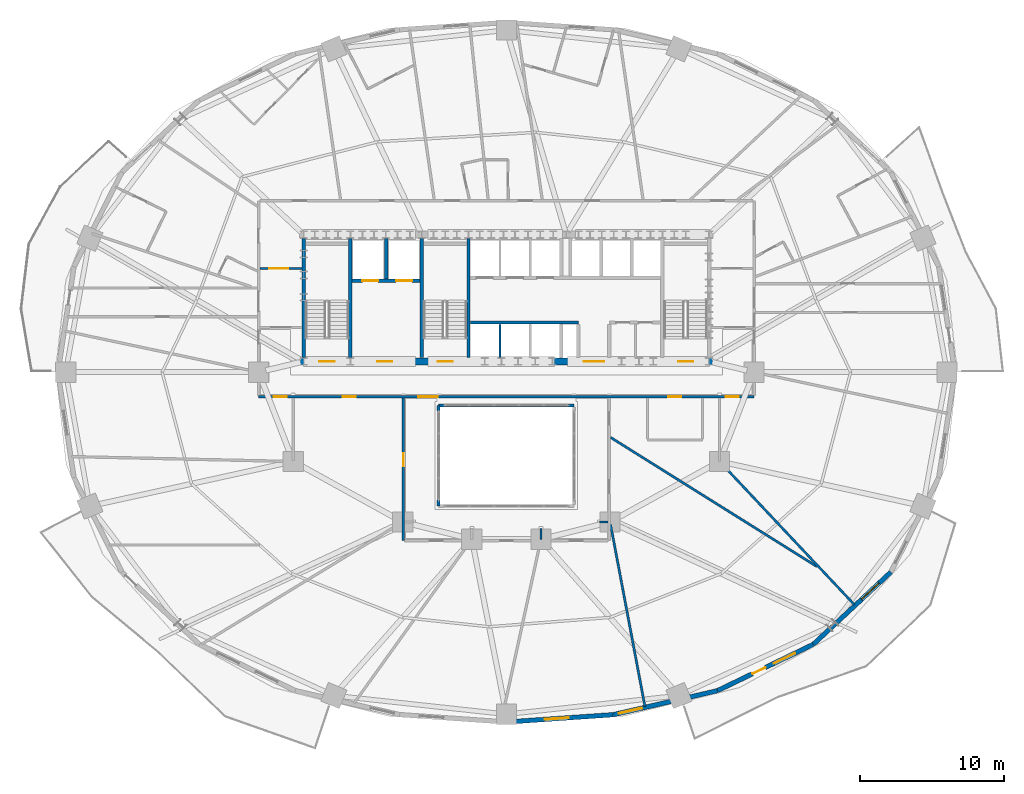
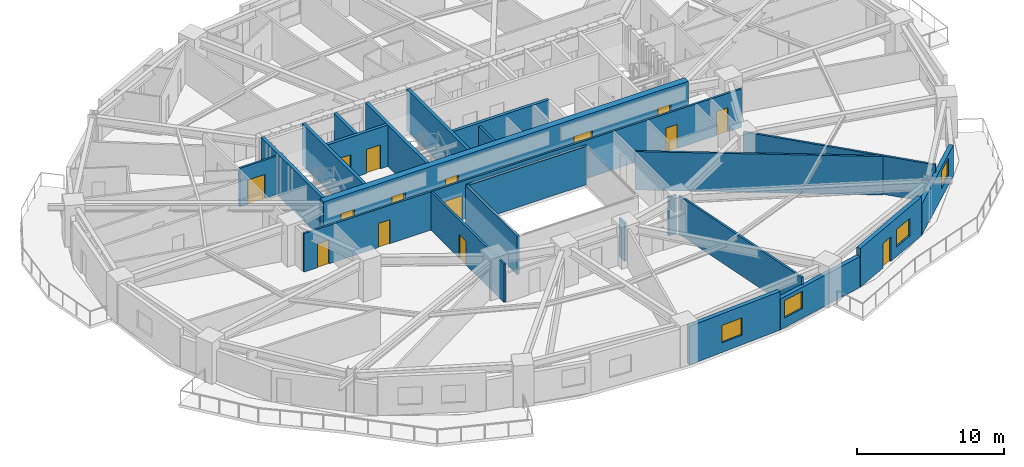
# One storey, part 10 of 17: 23 walls, 15 doors, 4 windows, 19 openings.
"""IFC4 building model written with IfcOpenShell, lengths in metres."""

from ifc_helpers import new_model, si_unit, direction, frame, frame_2d, origin, place, context, subcontext, project, spatial, rectangle, extrude, material, layer, layer_set, type_object, element, fill, save


model = new_model("IFC4")

# Units and contexts
model_context = context("Model", 3, precision=1e-05, world=origin(), true_north=direction((0.0, 1.0)))
body_context = subcontext(model_context, "Body", "Model", "MODEL_VIEW")
ifc_project = project(units=[si_unit("LENGTHUNIT", "METRE"), si_unit("AREAUNIT", "SQUARE_METRE"), si_unit("VOLUMEUNIT", "CUBIC_METRE"), si_unit("PLANEANGLEUNIT", "RADIAN"), si_unit("MASSUNIT", "GRAM", prefix="KILO")], contexts=[model_context])

# Site, building, storey
site_placement = place(None, origin())
site = spatial("IfcSite", under=ifc_project, at=site_placement, CompositionType="ELEMENT")
building_placement = place(site_placement, origin())
building = spatial("IfcBuilding", under=site, at=building_placement, Name="Haldorwick Loom Tower", CompositionType="ELEMENT")
storey_placement = place(building_placement, frame((0.0, 0.0, 27.449951171875)))
storey = spatial("IfcBuildingStorey", under=building, at=storey_placement, Name="L06", CompositionType="ELEMENT", Elevation=27.449951171875)

# Wall, opening, window
ifc_material_1 = material(Name="Pressed Clay Face Brick and Insulated Masonry Backup Assembly", Category="masonry")
ifc_layer_1 = layer(ifc_material_1, 0.320068359375, Name="Pressed Clay Face Brick and Insulated Masonry Backup Assembly", Category="masonry")
ifc_layer_set_1 = layer_set([ifc_layer_1], Name="Pressed Clay Face Brick and Insulated Masonry Backup Assembly")
wall_type_1 = type_object("IfcWallType", Name="ARC-WL-EXT320", PredefinedType="STANDARD", material=ifc_layer_set_1)
wall_1_placement = place(storey_placement, frame((36.0, 1.7099609375, 0.0), z_axis=(0.0, 0.0, 1.0), x_axis=(0.997645161917, 0.068586667092, 0.0)))
wall_1 = element("IfcWall", 1, at=wall_1_placement, inside=storey, type_object=wall_type_1, Name="L06 Brick Pier and Spandrel Wall 19", PredefinedType="STANDARD", context=body_context, shape_type="SweptSolid", body=[
    extrude(rectangle(XDim=7.428955078125, YDim=0.320068359375, at=frame_2d((3.71435546875, 0.0))), origin(), (0.0, 0.0, 1.0), 3.2099609375),
])
opening_1_placement = place(wall_1_placement, frame((2.679443359375, 0.0, 0.800048828125)))
opening_1 = element("IfcOpeningElement", 2, at=opening_1_placement, cuts=wall_1, Name="Opening W-01B", PredefinedType="OPENING", context=body_context, shape_type="SweptSolid", body=[
    extrude(rectangle(XDim=1.64990234375, YDim=1.449951171875, at=frame_2d((0.824951171875, 0.72509765625))), frame((0.0, 0.169921875, 0.0), z_axis=(0.0, -1.0, 0.0), x_axis=(1.0, 0.0, 0.0)), (0.0, 0.0, 1.0), 0.340087890625),
])
ifc_material_2 = material(Name="Triple-Glazed Low-E Argon Insulated Glazing Unit", Category="glass")
window_type = type_object("IfcWindowType", Name="ARC-WIN-W165", PartitioningType="SINGLE_PANEL", PredefinedType="WINDOW", material=ifc_material_2)
window_1_placement = place(opening_1_placement, origin())
window_1 = element("IfcWindow", 3, at=window_1_placement, inside=storey, type_object=window_type, Name="L06 Deep-Set Zone 7A Window 19", OverallHeight=1.449951171875, OverallWidth=1.64990234375, PartitioningType="SINGLE_PANEL", PredefinedType="WINDOW", context=body_context, shape_type="SweptSolid", body=[
    extrude(rectangle(XDim=1.64990234375, YDim=1.449951171875, at=frame_2d((0.824951171875, 0.72509765625))), frame((0.0, 0.030029296875, 0.0), z_axis=(0.0, -1.0, 0.0), x_axis=(1.0, 0.0, 0.0)), (0.0, 0.0, 1.0), 0.06005859375),
])
fill(opening_1, window_1)

wall_2_placement = place(storey_placement, frame((43.411376953125, 2.219482421875, 0.0), z_axis=(0.0, 0.0, 1.0), x_axis=(0.974522412345, 0.224290142088, 0.0)))
wall_2 = element("IfcWall", 4, at=wall_2_placement, inside=storey, type_object=wall_type_1, Name="L06 Brick Pier and Spandrel Wall 20", PredefinedType="STANDARD", context=body_context, shape_type="SweptSolid", body=[
    extrude(rectangle(XDim=7.422607421875, YDim=0.320068359375, at=frame_2d((3.71142578125, 0.0))), origin(), (0.0, 0.0, 1.0), 2.569091796875),
])
opening_2_placement = place(wall_2_placement, frame((0.39990234375, 0.0, 0.800048828125)))
opening_2 = element("IfcOpeningElement", 5, at=opening_2_placement, cuts=wall_2, Name="Opening W-01B", PredefinedType="OPENING", context=body_context, shape_type="SweptSolid", body=[
    extrude(rectangle(XDim=1.64990234375, YDim=1.449951171875, at=frame_2d((0.824951171875, 0.72509765625))), frame((0.0, 0.169921875, 0.0), z_axis=(0.0, -1.0, 0.0), x_axis=(1.0, 0.0, 0.0)), (0.0, 0.0, 1.0), 0.340087890625),
])
window_2_placement = place(opening_2_placement, origin())
window_2 = element("IfcWindow", 6, at=window_2_placement, inside=storey, type_object=window_type, Name="L06 Deep-Set Zone 7A Window 20", OverallHeight=1.449951171875, OverallWidth=1.64990234375, PartitioningType="SINGLE_PANEL", PredefinedType="WINDOW", context=body_context, shape_type="SweptSolid", body=[
    extrude(rectangle(XDim=1.64990234375, YDim=1.449951171875, at=frame_2d((0.824951171875, 0.72509765625))), frame((0.0, 0.030029296875, 0.0), z_axis=(0.0, -1.0, 0.0), x_axis=(1.0, 0.0, 0.0)), (0.0, 0.0, 1.0), 0.06005859375),
])
fill(opening_2, window_2)

# Wall, openings, door, window
wall_3_placement = place(storey_placement, frame((50.644775390625, 3.88427734375, 0.0), z_axis=(0.0, 0.0, 1.0), x_axis=(0.900295710431, 0.435278800057, 0.0)))
wall_3 = element("IfcWall", 7, at=wall_3_placement, inside=storey, type_object=wall_type_1, Name="L06 Brick Pier and Spandrel Wall 21", PredefinedType="STANDARD", context=body_context, shape_type="SweptSolid", body=[
    extrude(rectangle(XDim=7.39697265625, YDim=0.320068359375, at=frame_2d((3.698486328125, 0.0))), origin(), (0.0, 0.0, 1.0), 3.2099609375),
])
opening_3_placement = place(wall_3_placement, frame((2.705322265625, 0.0, 0.0)))
opening_3 = element("IfcOpeningElement", 8, at=opening_3_placement, cuts=wall_3, Name="Opening D-BL10", PredefinedType="OPENING", context=body_context, shape_type="SweptSolid", body=[
    extrude(rectangle(XDim=1.0, YDim=2.0400390625, at=frame_2d((0.5, 1.02001953125))), frame((0.0, 0.169921875, 0.0), z_axis=(0.0, -1.0, 0.0), x_axis=(1.0, 0.0, 0.0)), (0.0, 0.0, 1.0), 0.340087890625),
])
opening_4_placement = place(wall_3_placement, frame((4.352783203125, 0.0, 0.800048828125)))
opening_4 = element("IfcOpeningElement", 9, at=opening_4_placement, cuts=wall_3, Name="Opening W-01B", PredefinedType="OPENING", context=body_context, shape_type="SweptSolid", body=[
    extrude(rectangle(XDim=1.64990234375, YDim=1.449951171875, at=frame_2d((0.824951171875, 0.72509765625))), frame((0.0, 0.169921875, 0.0), z_axis=(0.0, -1.0, 0.0), x_axis=(1.0, 0.0, 0.0)), (0.0, 0.0, 1.0), 0.340087890625),
])
ifc_material_3 = material(Name="Thermally Broken Anodized Aluminium Curtain Wall Framing", Category="aluminium")
door_type_1 = type_object("IfcDoorType", Name="ARC-DR-BAL100", OperationType="NOTDEFINED", PredefinedType="DOOR", material=ifc_material_3)
door_1_placement = place(opening_3_placement, origin())
door_1 = element("IfcDoor", 10, at=door_1_placement, inside=storey, type_object=door_type_1, Name="L06 Outdoor Terrace Door SLB-L06-BAL_SE", OperationType="SINGLE_SWING_RIGHT", OverallHeight=2.0400390625, OverallWidth=1.0, PredefinedType="DOOR", context=body_context, shape_type="SweptSolid", body=[
    extrude(rectangle(XDim=1.0, YDim=2.0400390625, at=frame_2d((0.5, 1.02001953125))), frame((0.0, 0.02490234375, 0.0), z_axis=(0.0, -1.0, 0.0), x_axis=(1.0, 0.0, 0.0)), (0.0, 0.0, 1.0), 0.050048828125),
])
fill(opening_3, door_1)
window_3_placement = place(opening_4_placement, origin())
window_3 = element("IfcWindow", 11, at=window_3_placement, inside=storey, type_object=window_type, Name="L06 Deep-Set Zone 7A Window 21", OverallHeight=1.449951171875, OverallWidth=1.64990234375, PartitioningType="SINGLE_PANEL", PredefinedType="WINDOW", context=body_context, shape_type="SweptSolid", body=[
    extrude(rectangle(XDim=1.64990234375, YDim=1.449951171875, at=frame_2d((0.824951171875, 0.72509765625))), frame((0.0, 0.030029296875, 0.0), z_axis=(0.0, -1.0, 0.0), x_axis=(1.0, 0.0, 0.0)), (0.0, 0.0, 1.0), 0.06005859375),
])
fill(opening_4, window_3)

# Wall, opening, window
wall_4_placement = place(storey_placement, frame((57.30419921875, 7.10400390625, 0.0), z_axis=(0.0, 0.0, 1.0), x_axis=(0.73176101237, 0.681561311091, 0.0)))
wall_4 = element("IfcWall", 12, at=wall_4_placement, inside=storey, type_object=wall_type_1, Name="L06 Brick Pier and Spandrel Wall 22", PredefinedType="STANDARD", context=body_context, shape_type="SweptSolid", body=[
    extrude(rectangle(XDim=7.3583984375, YDim=0.320068359375, at=frame_2d((3.67919921875, 0.0))), origin(), (0.0, 0.0, 1.0), 2.569091796875),
])
opening_5_placement = place(wall_4_placement, frame((4.590087890625, 0.0, 0.800048828125)))
opening_5 = element("IfcOpeningElement", 13, at=opening_5_placement, cuts=wall_4, Name="Opening W-01B", PredefinedType="OPENING", context=body_context, shape_type="SweptSolid", body=[
    extrude(rectangle(XDim=1.64990234375, YDim=1.449951171875, at=frame_2d((0.824951171875, 0.72509765625))), frame((0.0, 0.169921875, 0.0), z_axis=(0.0, -1.0, 0.0), x_axis=(1.0, 0.0, 0.0)), (0.0, 0.0, 1.0), 0.340087890625),
])
window_4_placement = place(opening_5_placement, origin())
window_4 = element("IfcWindow", 14, at=window_4_placement, inside=storey, type_object=window_type, Name="L06 Deep-Set Zone 7A Window 22", OverallHeight=1.449951171875, OverallWidth=1.64990234375, PartitioningType="SINGLE_PANEL", PredefinedType="WINDOW", context=body_context, shape_type="SweptSolid", body=[
    extrude(rectangle(XDim=1.64990234375, YDim=1.449951171875, at=frame_2d((0.824951171875, 0.72509765625))), frame((0.0, 0.030029296875, 0.0), z_axis=(0.0, -1.0, 0.0), x_axis=(1.0, 0.0, 0.0)), (0.0, 0.0, 1.0), 0.06005859375),
])
fill(opening_5, window_4)

# Wall, openings, doors
ifc_material_4 = material(Name="Fire-Rated Type X Gypsum Stud Assembly EI 60")
ifc_layer_2 = layer(ifc_material_4, 0.159912109375, Name="Fire-Rated Type X Gypsum Stud Assembly EI 60")
ifc_layer_set_2 = layer_set([ifc_layer_2], Name="Fire-Rated Type X Gypsum Stud Assembly EI 60")
wall_type_2 = type_object("IfcWallType", Name="ARC-WL-FIRE160", PredefinedType="PARTITIONING", material=ifc_layer_set_2)
wall_5_placement = place(storey_placement, frame((18.800048828125, 24.300048828125, 0.0), z_axis=(0.0, 0.0, 1.0), x_axis=(1.0, 0.0, 0.0)))
wall_5 = element("IfcWall", 15, at=wall_5_placement, inside=storey, type_object=wall_type_2, Name="L06 Residential Fire Partition L06-CR-SP", PredefinedType="PARTITIONING", context=body_context, shape_type="SweptSolid", body=[
    extrude(rectangle(XDim=34.39990234375, YDim=0.159912109375, at=frame_2d((17.199951171875, 0.0))), origin(), (0.0, 0.0, 1.0), 3.195068359375),
])
opening_6_placement = place(wall_5_placement, frame((11.085693359375, 0.0, 0.0)))
opening_6 = element("IfcOpeningElement", 16, at=opening_6_placement, cuts=wall_5, Name="Opening D-CR15", PredefinedType="OPENING", context=body_context, shape_type="SweptSolid", body=[
    extrude(rectangle(XDim=1.35009765625, YDim=2.0, at=frame_2d((0.675048828125, 1.0))), frame((0.0, 0.08984375, 0.0), z_axis=(0.0, -1.0, 0.0), x_axis=(1.0, 0.0, 0.0)), (0.0, 0.0, 1.0), 0.179931640625),
])
opening_7_placement = place(wall_5_placement, frame((5.834716796875, 0.0, 0.0)))
opening_7 = element("IfcOpeningElement", 17, at=opening_7_placement, cuts=wall_5, Name="Opening D-FD60A", PredefinedType="OPENING", context=body_context, shape_type="SweptSolid", body=[
    extrude(rectangle(XDim=0.89990234375, YDim=2.0, at=frame_2d((0.449951171875, 1.0))), frame((0.0, 0.08984375, 0.0), z_axis=(0.0, -1.0, 0.0), x_axis=(1.0, 0.0, 0.0)), (0.0, 0.0, 1.0), 0.179931640625),
])
opening_8_placement = place(wall_5_placement, frame((28.437255859375, 0.0, 0.0)))
opening_8 = element("IfcOpeningElement", 18, at=opening_8_placement, cuts=wall_5, Name="Opening D-FD60A", PredefinedType="OPENING", context=body_context, shape_type="SweptSolid", body=[
    extrude(rectangle(XDim=0.89990234375, YDim=2.0, at=frame_2d((0.449951171875, 1.0))), frame((0.0, 0.08984375, 0.0), z_axis=(0.0, -1.0, 0.0), x_axis=(1.0, 0.0, 0.0)), (0.0, 0.0, 1.0), 0.179931640625),
])
opening_9_placement = place(wall_5_placement, frame((1.063232421875, 0.0, 0.0)))
opening_9 = element("IfcOpeningElement", 19, at=opening_9_placement, cuts=wall_5, Name="Opening D-FD60A", PredefinedType="OPENING", context=body_context, shape_type="SweptSolid", body=[
    extrude(rectangle(XDim=0.89990234375, YDim=2.0, at=frame_2d((0.449951171875, 1.0))), frame((0.0, 0.08984375, 0.0), z_axis=(0.0, -1.0, 0.0), x_axis=(1.0, 0.0, 0.0)), (0.0, 0.0, 1.0), 0.179931640625),
])
opening_10_placement = place(wall_5_placement, frame((32.436767578125, 0.0, 0.0)))
opening_10 = element("IfcOpeningElement", 20, at=opening_10_placement, cuts=wall_5, Name="Opening D-FD60A", PredefinedType="OPENING", context=body_context, shape_type="SweptSolid", body=[
    extrude(rectangle(XDim=0.89990234375, YDim=2.0, at=frame_2d((0.449951171875, 1.0))), frame((0.0, 0.08984375, 0.0), z_axis=(0.0, -1.0, 0.0), x_axis=(1.0, 0.0, 0.0)), (0.0, 0.0, 1.0), 0.179931640625),
])
ifc_material_5 = material(Name="Thermally Broken Anodized Aluminium and Tempered Glass", Category="aluminium")
door_type_2 = type_object("IfcDoorType", Name="ARC-DR-COR150", OperationType="NOTDEFINED", PredefinedType="DOOR", material=ifc_material_5)
door_2_placement = place(opening_6_placement, origin())
door_2 = element("IfcDoor", 21, at=door_2_placement, inside=storey, type_object=door_type_2, Name="L06 L06 Central Residential Corridor to L06 South Atrium Corridor Door", OperationType="DOUBLE_DOOR_SINGLE_SWING", OverallHeight=2.0, OverallWidth=1.35009765625, PredefinedType="DOOR", context=body_context, shape_type="SweptSolid", body=[
    extrude(rectangle(XDim=1.35009765625, YDim=2.0, at=frame_2d((0.675048828125, 1.0))), frame((0.0, 0.02490234375, 0.0), z_axis=(0.0, -1.0, 0.0), x_axis=(1.0, 0.0, 0.0)), (0.0, 0.0, 1.0), 0.050048828125),
])
fill(opening_6, door_2)
ifc_material_6 = material(Name="Hollow Steel Fire Door Assembly", Category="steel")
door_type_3 = type_object("IfcDoorType", Name="ARC-DR-FD60-90", OperationType="NOTDEFINED", PredefinedType="DOOR", material=ifc_material_6)
door_3_placement = place(opening_7_placement, origin())
door_3 = element("IfcDoor", 22, at=door_3_placement, inside=storey, type_object=door_type_3, Name="L06 L06 Central Residential Corridor to Community Library Hall 5 Door", OperationType="SINGLE_SWING_LEFT", OverallHeight=2.0, OverallWidth=0.89990234375, PredefinedType="DOOR", context=body_context, shape_type="SweptSolid", body=[
    extrude(rectangle(XDim=0.89990234375, YDim=2.0, at=frame_2d((0.449951171875, 1.0))), frame((0.0, 0.02490234375, 0.0), z_axis=(0.0, -1.0, 0.0), x_axis=(1.0, 0.0, 0.0)), (0.0, 0.0, 1.0), 0.050048828125),
])
fill(opening_7, door_3)
door_4_placement = place(opening_8_placement, origin())
door_4 = element("IfcDoor", 23, at=door_4_placement, inside=storey, type_object=door_type_3, Name="L06 L06 Central Residential Corridor to Common Accessible WC Door", OperationType="SINGLE_SWING_RIGHT", OverallHeight=2.0, OverallWidth=0.89990234375, PredefinedType="DOOR", context=body_context, shape_type="SweptSolid", body=[
    extrude(rectangle(XDim=0.89990234375, YDim=2.0, at=frame_2d((0.449951171875, 1.0))), frame((0.0, 0.02490234375, 0.0), z_axis=(0.0, -1.0, 0.0), x_axis=(1.0, 0.0, 0.0)), (0.0, 0.0, 1.0), 0.050048828125),
])
fill(opening_8, door_4)
door_5_placement = place(opening_9_placement, origin())
door_5 = element("IfcDoor", 24, at=door_5_placement, inside=storey, type_object=door_type_3, Name="L06 L06 Central Residential Corridor to Community Library Hall 4 Door", OperationType="SINGLE_SWING_LEFT", OverallHeight=2.0, OverallWidth=0.89990234375, PredefinedType="DOOR", context=body_context, shape_type="SweptSolid", body=[
    extrude(rectangle(XDim=0.89990234375, YDim=2.0, at=frame_2d((0.449951171875, 1.0))), frame((0.0, 0.02490234375, 0.0), z_axis=(0.0, -1.0, 0.0), x_axis=(1.0, 0.0, 0.0)), (0.0, 0.0, 1.0), 0.050048828125),
])
fill(opening_9, door_5)
door_6_placement = place(opening_10_placement, origin())
door_6 = element("IfcDoor", 25, at=door_6_placement, inside=storey, type_object=door_type_3, Name="L06 L06 Central Residential Corridor to Community Library Hall 6 Door", OperationType="SINGLE_SWING_RIGHT", OverallHeight=2.0, OverallWidth=0.89990234375, PredefinedType="DOOR", context=body_context, shape_type="SweptSolid", body=[
    extrude(rectangle(XDim=0.89990234375, YDim=2.0, at=frame_2d((0.449951171875, 1.0))), frame((0.0, 0.02490234375, 0.0), z_axis=(0.0, -1.0, 0.0), x_axis=(1.0, 0.0, 0.0)), (0.0, 0.0, 1.0), 0.050048828125),
])
fill(opening_10, door_6)

# Wall, opening, door
wall_6_placement = place(storey_placement, frame((18.883056640625, 33.199951171875, 0.0), z_axis=(0.0, 0.0, 1.0), x_axis=(1.0, 0.0, 0.0)))
wall_6 = element("IfcWall", 26, at=wall_6_placement, inside=storey, type_object=wall_type_2, Name="L06 Residential Fire Partition L06-CR-WNJ", PredefinedType="PARTITIONING", context=body_context, shape_type="SweptSolid", body=[
    extrude(rectangle(XDim=2.923828125, YDim=0.159912109375, at=frame_2d((1.4619140625, 0.0))), origin(), (0.0, 0.0, 1.0), 3.195068359375),
])
opening_11_placement = place(wall_6_placement, frame((0.637939453125, 0.0, 0.0)))
opening_11 = element("IfcOpeningElement", 27, at=opening_11_placement, cuts=wall_6, Name="Opening D-CR15", PredefinedType="OPENING", context=body_context, shape_type="SweptSolid", body=[
    extrude(rectangle(XDim=1.35009765625, YDim=2.0, at=frame_2d((0.675048828125, 1.0))), frame((0.0, 0.08984375, 0.0), z_axis=(0.0, -1.0, 0.0), x_axis=(1.0, 0.0, 0.0)), (0.0, 0.0, 1.0), 0.179931640625),
])
door_7_placement = place(opening_11_placement, origin())
door_7 = element("IfcDoor", 28, at=door_7_placement, inside=storey, type_object=door_type_2, Name="L06 L06 North Residential Corridor to L06 West Residential Corridor Door", OperationType="DOUBLE_DOOR_SINGLE_SWING", OverallHeight=2.0, OverallWidth=1.35009765625, PredefinedType="DOOR", context=body_context, shape_type="SweptSolid", body=[
    extrude(rectangle(XDim=1.35009765625, YDim=2.0, at=frame_2d((0.675048828125, 1.0))), frame((0.0, 0.02490234375, 0.0), z_axis=(0.0, -1.0, 0.0), x_axis=(1.0, 0.0, 0.0)), (0.0, 0.0, 1.0), 0.050048828125),
])
fill(opening_11, door_7)

wall_7_placement = place(storey_placement, frame((28.85009765625, 14.300048828125, 0.0), z_axis=(0.0, 0.0, 1.0), x_axis=(0.0, 1.0, 0.0)))
wall_7 = element("IfcWall", 29, at=wall_7_placement, inside=storey, type_object=wall_type_2, Name="L06 Residential Fire Partition L06-CR-AW", PredefinedType="PARTITIONING", context=body_context, shape_type="SweptSolid", body=[
    extrude(rectangle(XDim=9.9169921875, YDim=0.159912109375, at=frame_2d((4.95849609375, 0.0))), origin(), (0.0, 0.0, 1.0), 3.195068359375),
])
opening_12_placement = place(wall_7_placement, frame((5.169677734375, 0.0, 0.0)))
opening_12 = element("IfcOpeningElement", 30, at=opening_12_placement, cuts=wall_7, Name="Opening D-FD60A", PredefinedType="OPENING", context=body_context, shape_type="SweptSolid", body=[
    extrude(rectangle(XDim=0.89990234375, YDim=2.0, at=frame_2d((0.449951171875, 1.0))), frame((0.0, 0.08984375, 0.0), z_axis=(0.0, -1.0, 0.0), x_axis=(1.0, 0.0, 0.0)), (0.0, 0.0, 1.0), 0.179931640625),
])
door_8_placement = place(opening_12_placement, frame((0.89990234375, 0.0, 0.0), z_axis=(0.0, 0.0, 1.0), x_axis=(-1.0, 0.0, 0.0)))
door_8 = element("IfcDoor", 31, at=door_8_placement, inside=storey, type_object=door_type_3, Name="L06 Community Library Hall 5 to L06 South Atrium Corridor Door", OperationType="SINGLE_SWING_RIGHT", OverallHeight=2.0, OverallWidth=0.89990234375, PredefinedType="DOOR", context=body_context, shape_type="SweptSolid", body=[
    extrude(rectangle(XDim=0.89990234375, YDim=2.0, at=frame_2d((0.449951171875, 1.0))), frame((0.0, 0.02490234375, 0.0), z_axis=(0.0, -1.0, 0.0), x_axis=(1.0, 0.0, 0.0)), (0.0, 0.0, 1.0), 0.050048828125),
])
fill(opening_12, door_8)

# Walls
wall_8_placement = place(storey_placement, frame((50.800048828125, 19.800048828125, 0.0), z_axis=(0.0, 0.0, 1.0), x_axis=(0.685442751541, -0.728126523593, 0.0)))
element("IfcWall", 32, at=wall_8_placement, inside=storey, type_object=wall_type_2, Name="L06 Residential Fire Partition L06-ICR-03", PredefinedType="PARTITIONING", context=body_context, shape_type="SweptSolid", body=[
    extrude(rectangle(XDim=13.65869140625, YDim=0.159912109375, at=frame_2d((6.829345703125, 0.0))), origin(), (0.0, 0.0, 1.0), 3.195068359375),
])
wall_9_placement = place(storey_placement, frame((43.23291015625, 15.42529296875, 0.0), z_axis=(0.0, 0.0, 1.0), x_axis=(0.185578451916, -0.982629451108, 0.0)))
element("IfcWall", 33, at=wall_9_placement, inside=storey, type_object=wall_type_2, Name="L06 Residential Fire Partition L06-ICR-05", PredefinedType="PARTITIONING", context=body_context, shape_type="SweptSolid", body=[
    extrude(rectangle(XDim=12.8544921875, YDim=0.159912109375, at=frame_2d((6.42724609375, 0.0))), origin(), (0.0, 0.0, 1.0), 3.195068359375),
])
wall_10_placement = place(storey_placement, frame((42.449951171875, 15.60009765625, 0.0), z_axis=(0.0, 0.0, 1.0), x_axis=(1.0, 0.0, 0.0)))
element("IfcWall", 34, at=wall_10_placement, inside=storey, type_object=wall_type_2, Name="L06 Residential Fire Partition L06-ICA-04", PredefinedType="PARTITIONING", context=body_context, shape_type="SweptSolid", body=[
    extrude(rectangle(XDim=0.616943359375, YDim=0.159912109375, at=frame_2d((0.30859375, 0.0))), origin(), (0.0, 0.0, 1.0), 3.195068359375),
])
wall_11_placement = place(storey_placement, frame((38.39990234375, 15.14990234375, 0.0), z_axis=(0.0, 0.0, 1.0), x_axis=(0.0, -1.0, 0.0)))
element("IfcWall", 35, at=wall_11_placement, inside=storey, type_object=wall_type_2, Name="L06 Residential Fire Partition L06-ICA-06", PredefinedType="PARTITIONING", context=body_context, shape_type="SweptSolid", body=[
    extrude(rectangle(XDim=0.75, YDim=0.159912109375, at=frame_2d((0.375, 0.0))), origin(), (0.0, 0.0, 1.0), 3.195068359375),
])
wall_12_placement = place(storey_placement, frame((43.23291015625, 21.4716796875, 0.0), z_axis=(0.0, 0.0, 1.0), x_axis=(0.847603429746, -0.530630215764, 0.0)))
element("IfcWall", 36, at=wall_12_placement, inside=storey, type_object=wall_type_2, Name="L06 Suite Split Wall", PredefinedType="PARTITIONING", context=body_context, shape_type="SweptSolid", body=[
    extrude(rectangle(XDim=16.89111328125, YDim=0.159912109375, at=frame_2d((8.445556640625, 0.0))), origin(), (0.0, 0.0, 1.0), 3.195068359375),
])
ifc_material_7 = material(Name="Fire-Rated Type X Gypsum Stud Assembly EI 120")
ifc_layer_3 = layer(ifc_material_7, 0.199951171875, Name="Fire-Rated Type X Gypsum Stud Assembly EI 120")
ifc_layer_set_3 = layer_set([ifc_layer_3], Name="Fire-Rated Type X Gypsum Stud Assembly EI 120")
wall_type_3 = type_object("IfcWallType", Name="ARC-WL-FIRE200", PredefinedType="PARTITIONING", material=ifc_layer_set_3)
wall_13_placement = place(storey_placement, frame((31.300048828125, 23.699951171875, 0.0), z_axis=(0.0, 0.0, 1.0), x_axis=(1.0, 0.0, 0.0)))
element("IfcWall", 37, at=wall_13_placement, inside=storey, type_object=wall_type_3, Name="L06 Atrium Fire Enclosure Wall N", PredefinedType="PARTITIONING", context=body_context, shape_type="SweptSolid", body=[
    extrude(rectangle(XDim=9.39990234375, YDim=0.199951171875, at=frame_2d((4.699951171875, 0.0))), origin(), (0.0, 0.0, 1.0), 3.195068359375),
])
wall_14_placement = place(storey_placement, frame((31.300048828125, 16.699951171875, 0.0), z_axis=(0.0, 0.0, 1.0), x_axis=(0.0, 1.0, 0.0)))
element("IfcWall", 38, at=wall_14_placement, inside=storey, type_object=wall_type_3, Name="L06 Atrium Fire Enclosure Wall W", PredefinedType="PARTITIONING", context=body_context, shape_type="SweptSolid", body=[
    extrude(rectangle(XDim=7.0, YDim=0.199951171875, at=frame_2d((3.5, 0.0))), origin(), (0.0, 0.0, 1.0), 3.195068359375),
])
ifc_layer_4 = layer(ifc_material_7, 0.1650390625, Name="Fire-Rated Type X Gypsum Stud Assembly EI 120")
ifc_layer_set_4 = layer_set([ifc_layer_4], Name="Fire-Rated Type X Gypsum Stud Assembly EI 120")
wall_type_4 = type_object("IfcWallType", Name="ARC-WL-SHAFT160", PredefinedType="MOVABLE", material=ifc_layer_set_4)
wall_15_placement = place(storey_placement, frame((35.550048828125, 27.0029296875, 0.0), z_axis=(0.0, 0.0, 1.0), x_axis=(0.0, 1.0, 0.0)))
element("IfcWall", 39, at=wall_15_placement, inside=storey, type_object=wall_type_4, Name="L06 Mid-Rise Hoistway Divider 1", PredefinedType="MOVABLE", context=body_context, shape_type="SweptSolid", body=[
    extrude(rectangle(XDim=2.323974609375, YDim=0.159912109375, at=frame_2d((1.162109375, 0.0))), origin(), (0.0, 0.0, 1.0), 3.195068359375),
])

# Wall, openings, doors
ifc_material_8 = material(Name="Concrete C60 (60 MPa)", Category="concrete")
ifc_layer_5 = layer(ifc_material_8, 0.5, Name="Concrete C60 (60 MPa)", Category="concrete")
ifc_layer_set_5 = layer_set([ifc_layer_5], Name="Concrete C60 (60 MPa)")
wall_type_5 = type_object("IfcWallType", Name="STR-WL-CORE500", PredefinedType="SHEAR", material=ifc_layer_set_5)
wall_16_placement = place(storey_placement, frame((21.64990234375, 26.75, 0.0), z_axis=(0.0, 0.0, 1.0), x_axis=(1.0, 0.0, 0.0)))
wall_16 = element("IfcWall", 40, at=wall_16_placement, inside=storey, type_object=wall_type_5, Name="L06 Core Shear Wall S", PredefinedType="SHEAR", context=body_context, shape_type="SweptSolid", body=[
    extrude(rectangle(XDim=28.7001953125, YDim=0.5, at=frame_2d((14.35009765625, 0.0))), origin(), (0.0, 0.0, 1.0), 3.449951171875),
])
opening_13_placement = place(wall_16_placement, frame((1.375, 0.0, 0.0)))
opening_13 = element("IfcOpeningElement", 41, at=opening_13_placement, cuts=wall_16, Name="Opening D-FD60", PredefinedType="OPENING", context=body_context, shape_type="SweptSolid", body=[
    extrude(rectangle(XDim=1.050048828125, YDim=2.0, at=frame_2d((0.52490234375, 1.0))), frame((0.0, 0.260009765625, 0.0), z_axis=(0.0, -1.0, 0.0), x_axis=(1.0, 0.0, 0.0)), (0.0, 0.0, 1.0), 0.52001953125),
])
opening_14_placement = place(wall_16_placement, frame((5.375, 0.0, 0.0)))
opening_14 = element("IfcOpeningElement", 42, at=opening_14_placement, cuts=wall_16, Name="Opening D-FD60", PredefinedType="OPENING", context=body_context, shape_type="SweptSolid", body=[
    extrude(rectangle(XDim=1.050048828125, YDim=2.0, at=frame_2d((0.52490234375, 1.0))), frame((0.0, 0.260009765625, 0.0), z_axis=(0.0, -1.0, 0.0), x_axis=(1.0, 0.0, 0.0)), (0.0, 0.0, 1.0), 0.52001953125),
])
opening_15_placement = place(wall_16_placement, frame((9.574951171875, 0.0, 0.0)))
opening_15 = element("IfcOpeningElement", 43, at=opening_15_placement, cuts=wall_16, Name="Opening D-FD60", PredefinedType="OPENING", context=body_context, shape_type="SweptSolid", body=[
    extrude(rectangle(XDim=1.050048828125, YDim=2.0, at=frame_2d((0.52490234375, 1.0))), frame((0.0, 0.260009765625, 0.0), z_axis=(0.0, -1.0, 0.0), x_axis=(1.0, 0.0, 0.0)), (0.0, 0.0, 1.0), 0.52001953125),
])
opening_16_placement = place(wall_16_placement, frame((19.705078125, 0.0, 0.0)))
opening_16 = element("IfcOpeningElement", 44, at=opening_16_placement, cuts=wall_16, Name="Opening D-LB15", PredefinedType="OPENING", context=body_context, shape_type="SweptSolid", body=[
    extrude(rectangle(XDim=1.449951171875, YDim=2.0, at=frame_2d((0.72509765625, 1.0))), frame((0.0, 0.260009765625, 0.0), z_axis=(0.0, -1.0, 0.0), x_axis=(1.0, 0.0, 0.0)), (0.0, 0.0, 1.0), 0.52001953125),
])
opening_17_placement = place(wall_16_placement, frame((26.27490234375, 0.0, 0.0)))
opening_17 = element("IfcOpeningElement", 45, at=opening_17_placement, cuts=wall_16, Name="Opening D-FD60", PredefinedType="OPENING", context=body_context, shape_type="SweptSolid", body=[
    extrude(rectangle(XDim=1.050048828125, YDim=2.0, at=frame_2d((0.52490234375, 1.0))), frame((0.0, 0.260009765625, 0.0), z_axis=(0.0, -1.0, 0.0), x_axis=(1.0, 0.0, 0.0)), (0.0, 0.0, 1.0), 0.52001953125),
])
door_type_4 = type_object("IfcDoorType", Name="ARC-DR-FD60", OperationType="NOTDEFINED", PredefinedType="DOOR", material=ifc_material_6)
door_9_placement = place(opening_13_placement, origin())
door_9 = element("IfcDoor", 46, at=door_9_placement, inside=storey, type_object=door_type_4, Name="L06 Exit Stair ST-01 Fire Door", OperationType="SINGLE_SWING_RIGHT", OverallHeight=2.0, OverallWidth=1.050048828125, PredefinedType="DOOR", context=body_context, shape_type="SweptSolid", body=[
    extrude(rectangle(XDim=1.050048828125, YDim=2.0, at=frame_2d((0.52490234375, 1.0))), frame((0.0, 0.02490234375, 0.0), z_axis=(0.0, -1.0, 0.0), x_axis=(1.0, 0.0, 0.0)), (0.0, 0.0, 1.0), 0.050048828125),
])
fill(opening_13, door_9)
door_10_placement = place(opening_14_placement, origin())
door_10 = element("IfcDoor", 47, at=door_10_placement, inside=storey, type_object=door_type_4, Name="L06 Firefighting Lift Lobby Fire Door", OperationType="SINGLE_SWING_LEFT", OverallHeight=2.0, OverallWidth=1.050048828125, PredefinedType="DOOR", context=body_context, shape_type="SweptSolid", body=[
    extrude(rectangle(XDim=1.050048828125, YDim=2.0, at=frame_2d((0.52490234375, 1.0))), frame((0.0, 0.02490234375, 0.0), z_axis=(0.0, -1.0, 0.0), x_axis=(1.0, 0.0, 0.0)), (0.0, 0.0, 1.0), 0.050048828125),
])
fill(opening_14, door_10)
door_11_placement = place(opening_15_placement, origin())
door_11 = element("IfcDoor", 48, at=door_11_placement, inside=storey, type_object=door_type_4, Name="L06 Exit Stair ST-03 Fire Door", OperationType="SINGLE_SWING_LEFT", OverallHeight=2.0, OverallWidth=1.050048828125, PredefinedType="DOOR", context=body_context, shape_type="SweptSolid", body=[
    extrude(rectangle(XDim=1.050048828125, YDim=2.0, at=frame_2d((0.52490234375, 1.0))), frame((0.0, 0.02490234375, 0.0), z_axis=(0.0, -1.0, 0.0), x_axis=(1.0, 0.0, 0.0)), (0.0, 0.0, 1.0), 0.050048828125),
])
fill(opening_15, door_11)
door_12_placement = place(opening_17_placement, origin())
door_12 = element("IfcDoor", 49, at=door_12_placement, inside=storey, type_object=door_type_4, Name="L06 Exit Stair ST-02 Fire Door", OperationType="SINGLE_SWING_LEFT", OverallHeight=2.0, OverallWidth=1.050048828125, PredefinedType="DOOR", context=body_context, shape_type="SweptSolid", body=[
    extrude(rectangle(XDim=1.050048828125, YDim=2.0, at=frame_2d((0.52490234375, 1.0))), frame((0.0, 0.02490234375, 0.0), z_axis=(0.0, -1.0, 0.0), x_axis=(1.0, 0.0, 0.0)), (0.0, 0.0, 1.0), 0.050048828125),
])
fill(opening_17, door_12)
door_type_5 = type_object("IfcDoorType", Name="ARC-DR-LOB150", OperationType="NOTDEFINED", PredefinedType="DOOR", material=ifc_material_5)
door_13_placement = place(opening_16_placement, frame((1.449951171875, 0.0, 0.0), z_axis=(0.0, 0.0, 1.0), x_axis=(-1.0, 0.0, 0.0)))
door_13 = element("IfcDoor", 50, at=door_13_placement, inside=storey, type_object=door_type_5, Name="L06 Passenger Lift Lobby Fire Door", OperationType="DOUBLE_DOOR_SINGLE_SWING", OverallHeight=2.0, OverallWidth=1.449951171875, PredefinedType="DOOR", context=body_context, shape_type="SweptSolid", body=[
    extrude(rectangle(XDim=1.449951171875, YDim=2.0, at=frame_2d((0.72509765625, 1.0))), frame((0.0, 0.02490234375, 0.0), z_axis=(0.0, -1.0, 0.0), x_axis=(1.0, 0.0, 0.0)), (0.0, 0.0, 1.0), 0.050048828125),
])
fill(opening_16, door_13)

# Walls
ifc_material_9 = material(Name="Concrete C50 (50 MPa)", Category="concrete")
ifc_layer_6 = layer(ifc_material_9, 0.239990234375, Name="Concrete C50 (50 MPa)", Category="concrete")
ifc_layer_set_6 = layer_set([ifc_layer_6], Name="Concrete C50 (50 MPa)")
wall_type_6 = type_object("IfcWallType", Name="STR-WL-SHAFT240", PredefinedType="SHEAR", material=ifc_layer_set_6)
for number, where, z_axis, x_axis, name in (
    (51, (21.929931640625, 35.297119140625, 0.0), (0.0, 0.0, 1.0), (0.0, -1.0, 0.0), "L06 Core Shear Wall W"),
    (52, (25.169921875, 27.0029296875, 0.0), (0.0, 0.0, 1.0), (0.0, 1.0, 0.0), "L06 Core Shear Wall 1"),
    (53, (30.1298828125, 27.0029296875, 0.0), (0.0, 0.0, 1.0), (0.0, 1.0, 0.0), "L06 Core Shear Wall 2"),
    (54, (33.3701171875, 27.0029296875, 0.0), (0.0, 0.0, 1.0), (0.0, 1.0, 0.0), "L06 Core Shear Wall 3"),
):
    element("IfcWall", number, at=place(storey_placement, frame(where, z_axis=z_axis, x_axis=x_axis)), inside=storey, type_object=wall_type_6, Name=name, PredefinedType="SHEAR", context=body_context, shape_type="SweptSolid", body=[
        extrude(rectangle(XDim=8.294189453125, YDim=0.239990234375, at=frame_2d((4.14697265625, 0.0))), origin(), (0.0, 0.0, 1.0), 3.449951171875),
    ])

# Wall, openings, doors
wall_17_placement = place(storey_placement, frame((25.29296875, 32.35009765625, 0.0), z_axis=(0.0, 0.0, 1.0), x_axis=(1.0, 0.0, 0.0)))
wall_17 = element("IfcWall", 55, at=wall_17_placement, inside=storey, type_object=wall_type_6, Name="L06 Core Shear Wall FF", PredefinedType="SHEAR", context=body_context, shape_type="SweptSolid", body=[
    extrude(rectangle(XDim=4.714111328125, YDim=0.239990234375, at=frame_2d((2.35693359375, 0.0))), origin(), (0.0, 0.0, 1.0), 3.449951171875),
])
opening_18_placement = place(wall_17_placement, frame((0.70703125, 0.0, 0.0)))
opening_18 = element("IfcOpeningElement", 56, at=opening_18_placement, cuts=wall_17, Name="Opening LD-FF1", PredefinedType="OPENING", context=body_context, shape_type="SweptSolid", body=[
    extrude(rectangle(XDim=1.10009765625, YDim=2.0, at=frame_2d((0.550048828125, 1.0))), frame((0.0, 0.1298828125, 0.0), z_axis=(0.0, -1.0, 0.0), x_axis=(1.0, 0.0, 0.0)), (0.0, 0.0, 1.0), 0.260009765625),
])
opening_19_placement = place(wall_17_placement, frame((3.056884765625, 0.0, 0.0)))
opening_19 = element("IfcOpeningElement", 57, at=opening_19_placement, cuts=wall_17, Name="Opening LD-FF2", PredefinedType="OPENING", context=body_context, shape_type="SweptSolid", body=[
    extrude(rectangle(XDim=1.10009765625, YDim=2.0, at=frame_2d((0.550048828125, 1.0))), frame((0.0, 0.1298828125, 0.0), z_axis=(0.0, -1.0, 0.0), x_axis=(1.0, 0.0, 0.0)), (0.0, 0.0, 1.0), 0.260009765625),
])
door_type_6 = type_object("IfcDoorType", Name="ARC-DR-LD-FF", OperationType="NOTDEFINED", PredefinedType="USERDEFINED", material=ifc_material_6)
door_14_placement = place(opening_18_placement, origin())
door_14 = element("IfcDoor", 58, at=door_14_placement, inside=storey, type_object=door_type_6, Name="L06 Lift LF-FF1 Sliding Landing Door", ObjectType="LANDING DOOR", OperationType="DOUBLE_DOOR_SLIDING", OverallHeight=2.0, OverallWidth=1.10009765625, PredefinedType="USERDEFINED", context=body_context, shape_type="SweptSolid", body=[
    extrude(rectangle(XDim=1.10009765625, YDim=2.0, at=frame_2d((0.550048828125, 1.0))), frame((0.0, 0.02490234375, 0.0), z_axis=(0.0, -1.0, 0.0), x_axis=(1.0, 0.0, 0.0)), (0.0, 0.0, 1.0), 0.050048828125),
])
fill(opening_18, door_14)
door_15_placement = place(opening_19_placement, origin())
door_15 = element("IfcDoor", 59, at=door_15_placement, inside=storey, type_object=door_type_6, Name="L06 Lift LF-FF2 Sliding Landing Door", ObjectType="LANDING DOOR", OperationType="DOUBLE_DOOR_SLIDING", OverallHeight=2.0, OverallWidth=1.10009765625, PredefinedType="USERDEFINED", context=body_context, shape_type="SweptSolid", body=[
    extrude(rectangle(XDim=1.10009765625, YDim=2.0, at=frame_2d((0.550048828125, 1.0))), frame((0.0, 0.02490234375, 0.0), z_axis=(0.0, -1.0, 0.0), x_axis=(1.0, 0.0, 0.0)), (0.0, 0.0, 1.0), 0.050048828125),
])
fill(opening_19, door_15)

# Walls
wall_18_placement = place(storey_placement, frame((27.64990234375, 32.472900390625, 0.0), z_axis=(0.0, 0.0, 1.0), x_axis=(0.0, 1.0, 0.0)))
element("IfcWall", 60, at=wall_18_placement, inside=storey, type_object=wall_type_6, Name="L06 Core Shear Wall FFD", PredefinedType="SHEAR", context=body_context, shape_type="SweptSolid", body=[
    extrude(rectangle(XDim=2.82421875, YDim=0.239990234375, at=frame_2d((1.412109375, 0.0))), origin(), (0.0, 0.0, 1.0), 3.449951171875),
])
wall_19_placement = place(storey_placement, frame((33.492919921875, 29.449951171875, 0.0), z_axis=(0.0, 0.0, 1.0), x_axis=(1.0, 0.0, 0.0)))
element("IfcWall", 61, at=wall_19_placement, inside=storey, type_object=wall_type_6, Name="L06 Core Shear Wall LS1", PredefinedType="SHEAR", context=body_context, shape_type="SweptSolid", body=[
    extrude(rectangle(XDim=7.507080078125, YDim=0.239990234375, at=frame_2d((3.75341796875, 0.0))), origin(), (0.0, 0.0, 1.0), 3.449951171875),
])

save(model, "model.ifc")
